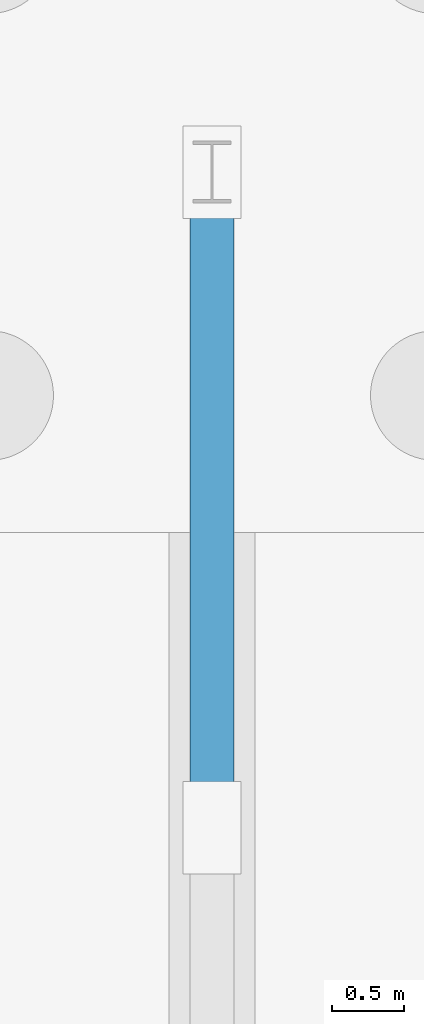
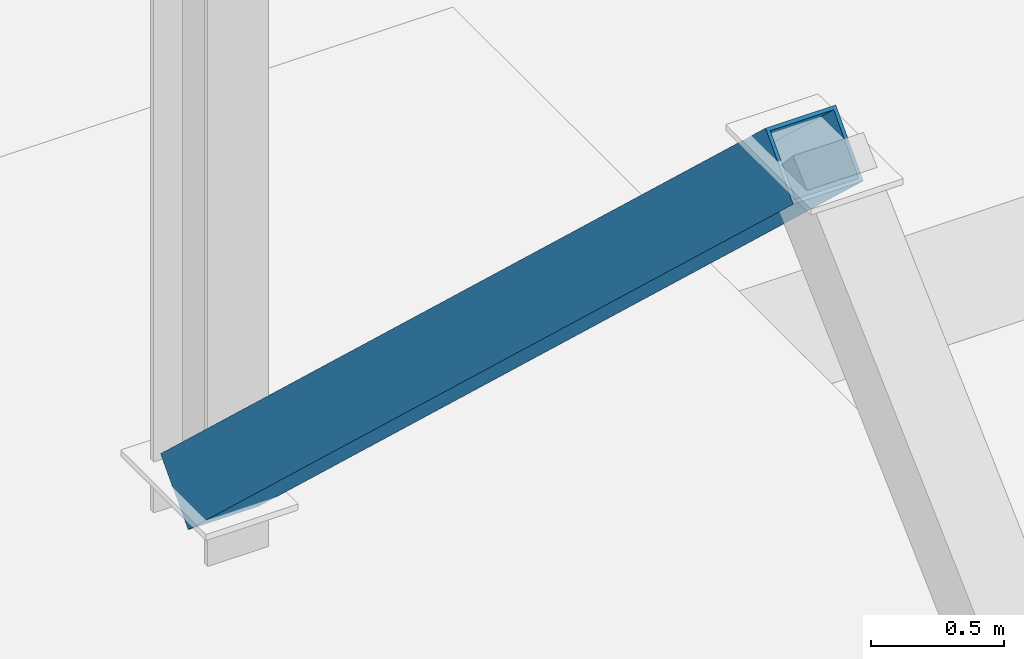
# One storey, part 57 of 119: 1 member.
"""IFC4 building model written with IfcOpenShell, lengths in metres."""

import ifcopenshell
import ifcopenshell.guid

model = None  # the IFC model being written
_history = None  # IfcOwnerHistory: only IFC2X3 demands one
_inside = {}  # id of a spatial element -> (the spatial element, [elements in it])
_under = {}  # id of a project, library or spatial element -> (it, [spatial elements below it])
_declared = {}  # id of a project -> (the project, [libraries it declares])
_typed = {}  # id of a type object -> (the type object, [elements of that type])
_made_of = {}  # id of a material, layer set ... -> (it, [elements and type objects made of it])


def new_model(schema):
    """Start an empty IFC model of exactly this schema.

    Asked for "IFC4X3", IfcOpenShell would pick the latest addendum, in which some entities
    have other attributes; the version numbers below select the first issue.
    IFC2X3 requires an IfcOwnerHistory on every rooted entity: one is made here for all.
    """
    global model, _history
    if schema == "IFC4X3":
        model = ifcopenshell.file(schema_version=(4, 3, 0, 0))
    else:
        model = ifcopenshell.file(schema=schema)
    _inside.clear()
    _under.clear()
    _declared.clear()
    _typed.clear()
    _made_of.clear()
    _history = None
    if model.schema == "IFC2X3":
        org = make("IfcOrganization", Name="unknown")
        user = make(
            "IfcPersonAndOrganization",
            ThePerson=make("IfcPerson", FamilyName="unknown"),
            TheOrganization=org,
        )
        app = make(
            "IfcApplication",
            ApplicationDeveloper=org,
            Version="unknown",
            ApplicationFullName="unknown",
            ApplicationIdentifier="unknown",
        )
        _history = make(
            "IfcOwnerHistory",
            OwningUser=user,
            OwningApplication=app,
            ChangeAction="ADDED",
            CreationDate=0,
        )
    return model


def make(cls, **values):
    """One entity of the class cls with the attributes given. An attribute that is None is left unset."""
    return model.create_entity(
        cls, **{name: value for name, value in values.items() if value is not None}
    )


def rooted(cls, **values):
    """An entity with a GlobalId (a new one), such as an element, a storey or a relation."""
    return make(cls, GlobalId=ifcopenshell.guid.new(), OwnerHistory=_history, **values)


def si_unit(unit_type, name, prefix=None):
    """IfcSIUnit, for example si_unit("LENGTHUNIT", "METRE", prefix="MILLI")."""
    return make("IfcSIUnit", UnitType=unit_type, Prefix=prefix, Name=name)


def derived_unit(unit_type, elements):
    """IfcDerivedUnit: a product of units, each with its exponent."""
    return make(
        "IfcDerivedUnit",
        Elements=[
            make("IfcDerivedUnitElement", Unit=unit, Exponent=power)
            for unit, power in elements
        ],
        UnitType=unit_type,
    )


def assignment(units):
    """IfcUnitAssignment: the units of a project."""
    return None if units is None else make("IfcUnitAssignment", Units=units)


def point(xyz):
    """IfcCartesianPoint."""
    return None if xyz is None else make("IfcCartesianPoint", Coordinates=xyz)


def direction(xyz):
    """IfcDirection."""
    return None if xyz is None else make("IfcDirection", DirectionRatios=xyz)


def frame(location, z_axis=None, x_axis=None):
    """IfcAxis2Placement3D, a coordinate frame: its origin and axes. An axis left out is left unset."""
    return make(
        "IfcAxis2Placement3D",
        Location=point(location),
        Axis=direction(z_axis),
        RefDirection=direction(x_axis),
    )


def frame_2d(location, x_axis=None):
    """IfcAxis2Placement2D, a coordinate frame in the plane: its origin and x axis."""
    return make(
        "IfcAxis2Placement2D", Location=point(location), RefDirection=direction(x_axis)
    )


def origin():
    """The frame at (0, 0, 0) with its axes left unset."""
    return frame((0.0, 0.0, 0.0))


def origin_2d():
    """The frame at (0, 0) in the plane with its x axis left unset."""
    return frame_2d((0.0, 0.0))


def place(relative_to, where):
    """IfcLocalPlacement: puts the frame where relative to a parent placement (None: the world)."""
    return make(
        "IfcLocalPlacement", PlacementRelTo=relative_to, RelativePlacement=where
    )


def context(
    kind, dimensions, precision=None, world=None, true_north=None, identifier=None
):
    """IfcGeometricRepresentationContext, for example the 3D "Model" context."""
    return make(
        "IfcGeometricRepresentationContext",
        ContextIdentifier=identifier,
        ContextType=kind,
        CoordinateSpaceDimension=dimensions,
        Precision=precision,
        WorldCoordinateSystem=world,
        TrueNorth=true_north,
    )


def subcontext(parent, identifier, kind, view, scale=None):
    """IfcGeometricRepresentationSubContext, for example "Body" below "Model"."""
    return make(
        "IfcGeometricRepresentationSubContext",
        ContextIdentifier=identifier,
        ContextType=kind,
        ParentContext=parent,
        TargetScale=scale,
        TargetView=view,
    )


def project(units=None, contexts=None):
    """IfcProject with its units and contexts."""
    return rooted(
        "IfcProject",
        Name="project",
        RepresentationContexts=contexts,
        UnitsInContext=assignment(units),
    )


def spatial(cls, under=None, at=None, **own):
    """A site, building, storey or space (cls), placed at a placement, below another one or the project."""
    s = rooted(cls, ObjectPlacement=at, **own)
    if under is not None:
        _under.setdefault(under.id(), (under, []))[1].append(s)
    return s


def profile(cls, at=None, kind="AREA", **sizes):
    """A parametric profile (cls). Its sizes go by their IFC names, for example OverallWidth=200.0."""
    return make(cls, ProfileType=kind, Position=at, **sizes)


def hollow_rectangle(**sizes):
    """IfcRectangleHollowProfileDef."""
    return profile("IfcRectangleHollowProfileDef", **sizes)


def extrude(swept, where, along, depth):
    """IfcExtrudedAreaSolid: the profile swept, set in the frame where, extruded along a direction by depth."""
    return make(
        "IfcExtrudedAreaSolid",
        SweptArea=swept,
        Position=where,
        ExtrudedDirection=direction(along),
        Depth=depth,
    )


def shape(context_of_items, identifier, shape_type, items):
    """IfcShapeRepresentation: the items that make up one representation, for example the "Body"."""
    return make(
        "IfcShapeRepresentation",
        ContextOfItems=context_of_items,
        RepresentationIdentifier=identifier,
        RepresentationType=shape_type,
        Items=items,
    )


def material(Name=None, Category=None):
    """IfcMaterial."""
    return make("IfcMaterial", Name=Name, Category=Category)


def material_profile(
    of_material, cross_section, Name=None, Category=None, Priority=None
):
    """IfcMaterialProfile: a cross section and its material."""
    return make(
        "IfcMaterialProfile",
        Name=Name,
        Material=of_material,
        Profile=cross_section,
        Priority=Priority,
        Category=Category,
    )


def profile_set(profiles, Name=None, composite=None):
    """IfcMaterialProfileSet."""
    return make(
        "IfcMaterialProfileSet",
        Name=Name,
        MaterialProfiles=profiles,
        CompositeProfile=composite,
    )


def made_of(thing, what):
    """Note that an element or type object is made of a material, layer set ...; save() writes the relation."""
    if what is not None:
        _made_of.setdefault(what.id(), (what, []))[1].append(thing)
    return thing


def type_object(cls, material=None, **own):
    """A type object (cls), such as IfcWallType, which elements share."""
    return made_of(rooted(cls, **own), material)


def element(
    cls,
    number,
    at=None,
    inside=None,
    cuts=None,
    type_object=None,
    material=None,
    context=None,
    identifier="Body",
    shape_type=None,
    held_by="IfcProductDefinitionShape",
    body=None,
    shapes=None,
    **own,
):
    """One element of the class cls, such as IfcWall. Its Tag is "e" and its number.

    at: its placement. inside: the storey or other place that contains it. cuts: it is an
    opening in that element (IfcRelVoidsElement). A single representation is given by context,
    identifier, shape_type and body (its items); several are given by shapes. held_by: the class
    of the entity that holds the representations. save() writes the other relations.
    """
    e = rooted(cls, Tag="e%d" % number, ObjectPlacement=at, **own)
    if body is not None:
        shapes = [shape(context, identifier, shape_type, body)]
    if shapes is not None:
        e.Representation = make(held_by, Representations=shapes)
    if inside is not None:
        _inside.setdefault(inside.id(), (inside, []))[1].append(e)
    if cuts is not None:
        rooted(
            "IfcRelVoidsElement", RelatingBuildingElement=cuts, RelatedOpeningElement=e
        )
    if type_object is not None:
        _typed.setdefault(type_object.id(), (type_object, []))[1].append(e)
    return made_of(e, material)


def aggregate(whole, parts):
    """IfcRelAggregates: a whole, such as a stair, and the parts it consists of."""
    return rooted("IfcRelAggregates", RelatingObject=whole, RelatedObjects=parts)


def save(model, path):
    """Write the relations noted so far, then the file.

    IfcRelAggregates (storeys below a building ...), IfcRelContainedInSpatialStructure (elements
    in a storey), IfcRelDefinesByType, IfcRelAssociatesMaterial and IfcRelDeclares: one each for
    every whole, place, type object, material and project.
    """
    for whole, parts in _under.values():
        aggregate(whole, parts)
    for where, things in _inside.values():
        rooted(
            "IfcRelContainedInSpatialStructure",
            RelatedElements=things,
            RelatingStructure=where,
        )
    for kind, things in _typed.values():
        rooted("IfcRelDefinesByType", RelatedObjects=things, RelatingType=kind)
    for what, things in _made_of.values():
        rooted("IfcRelAssociatesMaterial", RelatedObjects=things, RelatingMaterial=what)
    for by, libraries in _declared.values():
        rooted("IfcRelDeclares", RelatingContext=by, RelatedDefinitions=libraries)
    model.write(path)


model = new_model("IFC4")

# Units and contexts
model_context = context("Model", 3, precision=1e-05, world=origin(), true_north=direction((0.0, 1.0)))
body_context = subcontext(model_context, "Body", "Model", "MODEL_VIEW")
ifc_project = project(units=[si_unit("LENGTHUNIT", "METRE"), si_unit("AREAUNIT", "SQUARE_METRE"), si_unit("VOLUMEUNIT", "CUBIC_METRE"), si_unit("PLANEANGLEUNIT", "RADIAN"), si_unit("MASSUNIT", "GRAM", prefix="KILO"), derived_unit("THERMALTRANSMITTANCEUNIT", [(si_unit("MASSUNIT", "GRAM", prefix="KILO"), 1), (si_unit("TIMEUNIT", "SECOND"), -3), (si_unit("THERMODYNAMICTEMPERATUREUNIT", "KELVIN"), -1)])], contexts=[model_context])

# Site, building, storey
site_placement = place(None, origin())
site = spatial("IfcSite", under=ifc_project, at=site_placement, CompositionType="ELEMENT")
building_placement = place(site_placement, origin())
building = spatial("IfcBuilding", under=site, at=building_placement, Name="Makaiwela Harbour Ferry Terminal", CompositionType="ELEMENT")
storey_placement = place(building_placement, origin())
storey = spatial("IfcBuildingStorey", under=building, at=storey_placement, Name="L00", CompositionType="ELEMENT", Elevation=0.0)

# Member
ifc_material = material(Name="Steel ASTM A500 Grade C", Category="steel")
ifc_material_profile = material_profile(ifc_material, hollow_rectangle(XDim=0.304931640625, YDim=0.304931640625, WallThickness=0.0146484375, at=origin_2d()), Name="HSS12X12X5/8")
ifc_profile_set = profile_set([ifc_material_profile], Name="Steel ASTM A500 Grade C")
member_type = type_object("IfcMemberType", Name="STR-BRC-HSS12", PredefinedType="BRACE", material=ifc_profile_set)
member_placement = place(storey_placement, frame((138.60009765625, 67.60009765625, 0.219970703125), z_axis=(0.0, -0.730518012387, 0.682893427687), x_axis=(1.0, 0.0, 0.0)))
element("IfcMember", 1, at=member_placement, inside=storey, type_object=member_type, Name="Lateral chevron brace 6B", PredefinedType="BRACE", context=body_context, shape_type="SweptSolid", body=[
    extrude(hollow_rectangle(XDim=0.304931640625, YDim=0.304931640625, WallThickness=0.0146484375, at=origin_2d()), origin(), (0.0, 0.0, 1.0), 6.228515625),
])

save(model, "model.ifc")
